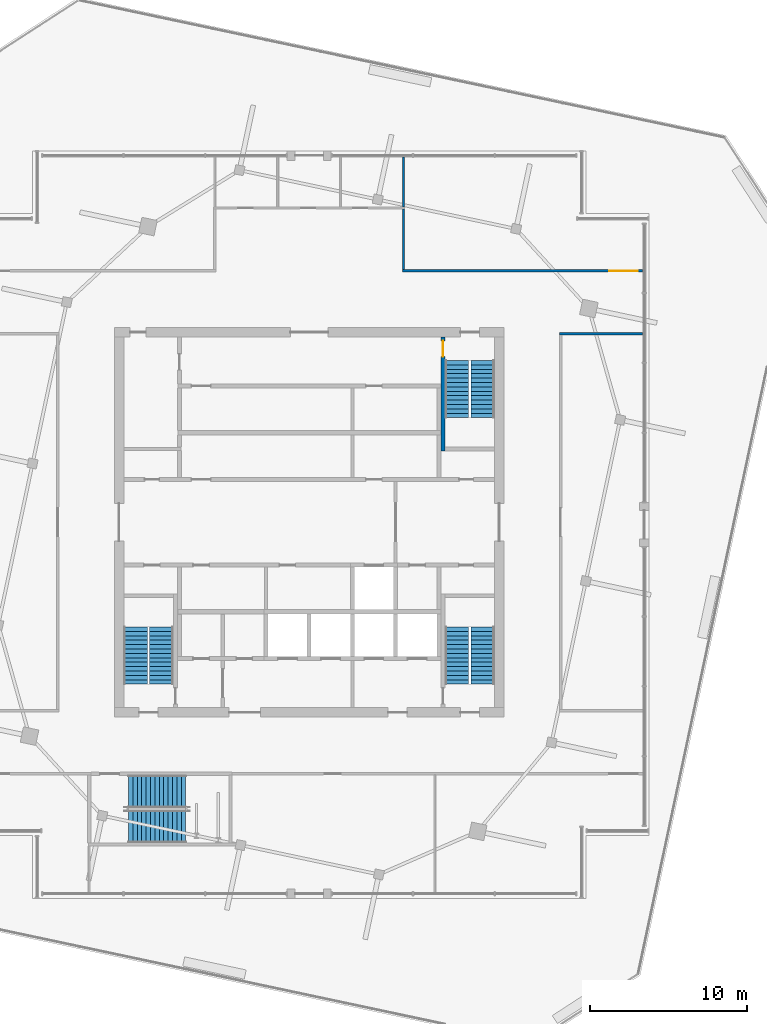
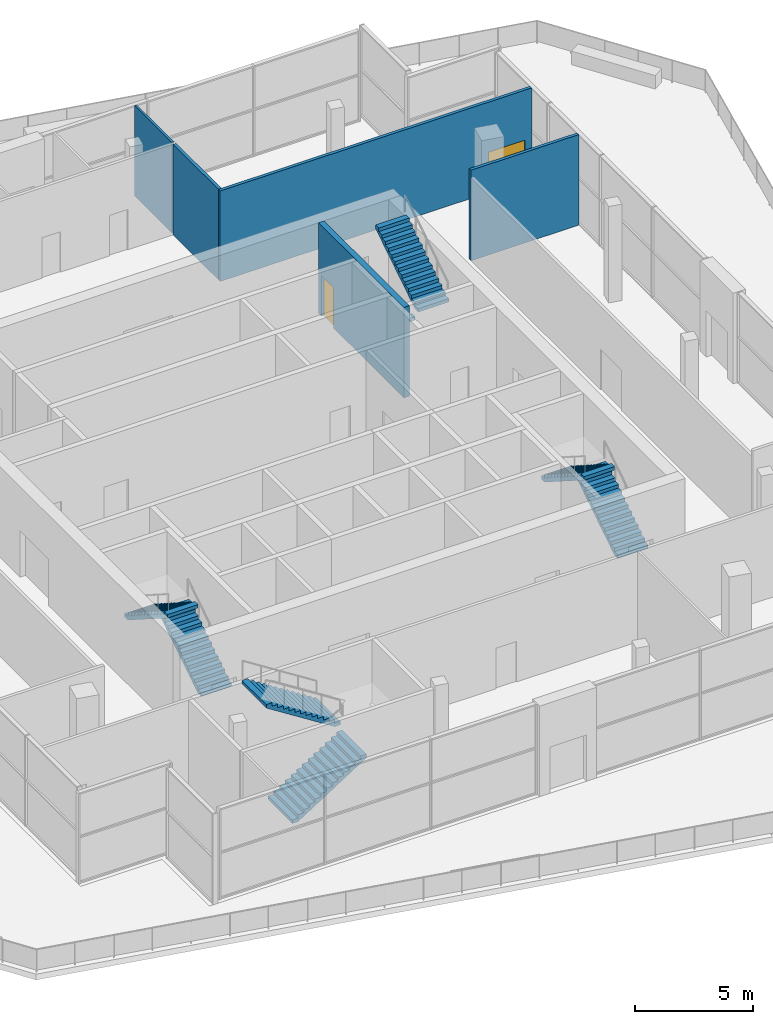
# One storey, part 10 of 14: 8 stair flights, 5 walls, 2 doors, 2 openings, 4 elements without a shape of their own.
"""IFC4 building model written with IfcOpenShell, lengths in metres."""

from ifc_helpers import new_model, si_unit, direction, frame, frame_2d, origin, place, context, subcontext, project, spatial, polyline, rectangle, outline, extrude, material, layer, layer_set, type_object, element, fill, aggregate, save


model = new_model("IFC4")

# Units and contexts
model_context = context("Model", 3, precision=1e-05, world=origin(), true_north=direction((0.0, 1.0)))
body_context = subcontext(model_context, "Body", "Model", "MODEL_VIEW")
ifc_project = project(units=[si_unit("LENGTHUNIT", "METRE"), si_unit("AREAUNIT", "SQUARE_METRE"), si_unit("VOLUMEUNIT", "CUBIC_METRE"), si_unit("PLANEANGLEUNIT", "RADIAN"), si_unit("MASSUNIT", "GRAM", prefix="KILO")], contexts=[model_context])

# Site, building, storey
site_placement = place(None, origin())
site = spatial("IfcSite", under=ifc_project, at=site_placement, CompositionType="ELEMENT")
building_placement = place(site_placement, origin())
building = spatial("IfcBuilding", under=site, at=building_placement, Name="Dilmun Exchange Tower", CompositionType="ELEMENT")
storey_placement = place(building_placement, frame((0.0, 0.0, 368.10009765625)))
storey = spatial("IfcBuildingStorey", under=building, at=storey_placement, Name="Crown L86", CompositionType="ELEMENT", Elevation=368.10009765625)

# Wall
ifc_material_1 = material(Name="Fire partition EI 60 150 gypsum")
ifc_layer_1 = layer(ifc_material_1, 0.14990234375)
ifc_layer_set_1 = layer_set([ifc_layer_1], Name="Fire partition EI 60 150 gypsum")
wall_type_1 = type_object("IfcWallType", Name="Fire partition EI 60 150 gypsum", PredefinedType="PARTITIONING", material=ifc_layer_set_1)
wall_1_placement = place(storey_placement, frame((15.925048828125, 12.0, 0.0), z_axis=(0.0, 0.0, 1.0), x_axis=(1.0, 0.0, 0.0)))
element("IfcWall", 1, at=wall_1_placement, inside=storey, type_object=wall_type_1, Name="Crown L86 partition", PredefinedType="PARTITIONING", context=body_context, shape_type="SweptSolid", body=[
    extrude(rectangle(XDim=5.29833984375, YDim=0.14990234375, at=frame_2d((2.649169921875, 0.0))), origin(), (0.0, 0.0, 1.0), 4.699951171875),
])

# Wall, opening, door
wall_2_placement = place(storey_placement, frame((5.925048828125, 16.0, 0.0), z_axis=(0.0, 0.0, 1.0), x_axis=(1.0, 0.0, 0.0)))
wall_2 = element("IfcWall", 2, at=wall_2_placement, inside=storey, type_object=wall_type_1, Name="Crown L86 partition", PredefinedType="PARTITIONING", context=body_context, shape_type="SweptSolid", body=[
    extrude(rectangle(XDim=15.29833984375, YDim=0.14990234375, at=frame_2d((7.649169921875, 0.0))), origin(), (0.0, 0.0, 1.0), 4.699951171875),
])
opening_1_placement = place(wall_2_placement, frame((13.175048828125, 0.0, 0.0)))
opening_1 = element("IfcOpeningElement", 3, at=opening_1_placement, cuts=wall_2, Name="Opening CrownL86-D006", PredefinedType="OPENING", context=body_context, shape_type="SweptSolid", body=[
    extrude(rectangle(XDim=1.800048828125, YDim=2.10009765625, at=frame_2d((0.89990234375, 1.050048828125))), frame((0.0, 0.0849609375, 0.0), z_axis=(0.0, -1.0, 0.0), x_axis=(1.0, 0.0, 0.0)), (0.0, 0.0, 1.0), 0.169921875),
])
ifc_material_2 = material(Name="Fire door FD60 double 1800 x 2100")
door_type_1 = type_object("IfcDoorType", Name="Fire door FD60 double 1800 x 2100", OperationType="DOUBLE_DOOR_SINGLE_SWING", PredefinedType="DOOR", material=ifc_material_2)
door_1_placement = place(opening_1_placement, origin())
door_1 = element("IfcDoor", 4, at=door_1_placement, inside=storey, type_object=door_type_1, Name="Crown L86 door CrownL86-D006", OperationType="DOUBLE_DOOR_SINGLE_SWING", OverallHeight=2.10009765625, OverallWidth=1.800048828125, PredefinedType="DOOR", context=body_context, shape_type="SweptSolid", body=[
    extrude(rectangle(XDim=1.800048828125, YDim=2.10009765625, at=frame_2d((0.89990234375, 1.050048828125))), frame((0.0, 0.02490234375, 0.0), z_axis=(0.0, -1.0, 0.0), x_axis=(1.0, 0.0, 0.0)), (0.0, 0.0, 1.0), 0.050048828125),
])
fill(opening_1, door_1)

# Walls
wall_3_placement = place(storey_placement, frame((6.0, 16.074951171875, 0.0), z_axis=(0.0, 0.0, 1.0), x_axis=(0.0, 1.0, 0.0)))
element("IfcWall", 5, at=wall_3_placement, inside=storey, type_object=wall_type_1, Name="Crown L86 partition", PredefinedType="PARTITIONING", context=body_context, shape_type="SweptSolid", body=[
    extrude(rectangle(XDim=3.85009765625, YDim=0.14990234375, at=frame_2d((1.925048828125, 0.0))), origin(), (0.0, 0.0, 1.0), 4.699951171875),
])
ifc_material_3 = material(Name="Partition 100 gypsum")
ifc_layer_2 = layer(ifc_material_3, 0.10009765625)
ifc_layer_set_2 = layer_set([ifc_layer_2], Name="Partition 100 gypsum")
wall_type_2 = type_object("IfcWallType", Name="Partition 100 gypsum", PredefinedType="PARTITIONING", material=ifc_layer_set_2)
wall_4_placement = place(storey_placement, frame((6.0, 20.074951171875, 0.0), z_axis=(0.0, 0.0, 1.0), x_axis=(0.0, 1.0, 0.0)))
element("IfcWall", 6, at=wall_4_placement, inside=storey, type_object=wall_type_2, Name="Crown L86 partition", PredefinedType="PARTITIONING", context=body_context, shape_type="SweptSolid", body=[
    extrude(rectangle(XDim=3.165283203125, YDim=0.10009765625, at=frame_2d((1.58251953125, 0.0))), origin(), (0.0, 0.0, 1.0), 4.699951171875),
])

# Wall, opening, door
ifc_material_4 = material(Name="Concrete C40/50", Category="concrete")
ifc_layer_3 = layer(ifc_material_4, 0.27490234375)
ifc_layer_set_3 = layer_set([ifc_layer_3], Name="Concrete C40/50")
wall_type_3 = type_object("IfcWallType", Name="Stair wall 275", PredefinedType="SOLIDWALL", material=ifc_layer_set_3)
wall_5_placement = place(storey_placement, frame((8.512451171875, 4.550048828125, 0.0), z_axis=(0.0, 0.0, 1.0), x_axis=(0.0, 1.0, 0.0)))
wall_5 = element("IfcWall", 7, at=wall_5_placement, inside=storey, type_object=wall_type_3, Name="Crown L86 ST1 wall to lift block", PredefinedType="SOLIDWALL", context=body_context, shape_type="SweptSolid", body=[
    extrude(rectangle(XDim=7.25, YDim=0.27490234375, at=frame_2d((3.625, 0.0))), origin(), (0.0, 0.0, 1.0), 4.699951171875),
])
opening_2_placement = place(wall_5_placement, frame((6.0, 0.0, 0.0)))
opening_2 = element("IfcOpeningElement", 8, at=opening_2_placement, cuts=wall_5, Name="Opening CD4", PredefinedType="OPENING", context=body_context, shape_type="SweptSolid", body=[
    extrude(rectangle(XDim=1.0, YDim=2.10009765625, at=frame_2d((0.5, 1.050048828125))), frame((0.0, 0.1474609375, 0.0), z_axis=(0.0, -1.0, 0.0), x_axis=(1.0, 0.0, 0.0)), (0.0, 0.0, 1.0), 0.294921875),
])
ifc_material_5 = material(Name="Fire-rated steel door set", Category="steel")
door_type_2 = type_object("IfcDoorType", Name="Core room door 1000x2100", OperationType="SINGLE_SWING_LEFT", PredefinedType="DOOR", material=ifc_material_5)
door_2_placement = place(opening_2_placement, origin())
door_2 = element("IfcDoor", 9, at=door_2_placement, inside=storey, type_object=door_type_2, Name="Crown L86 door ST1 from lobby", OperationType="SINGLE_SWING_LEFT", OverallHeight=2.10009765625, OverallWidth=1.0, PredefinedType="DOOR", context=body_context, shape_type="SweptSolid", body=[
    extrude(rectangle(XDim=1.0, YDim=2.10009765625, at=frame_2d((0.5, 1.050048828125))), frame((0.0, 0.02490234375, 0.0), z_axis=(0.0, -1.0, 0.0), x_axis=(1.0, 0.0, 0.0)), (0.0, 0.0, 1.0), 0.050048828125),
])
fill(opening_2, door_2)

# Stair, stair flights
stair_type_1 = type_object("IfcStairType", Name="Exit stair 1500 half-turn", PredefinedType="HALF_TURN_STAIR", material=ifc_material_4)
stair_1_placement = place(storey_placement, origin())
stair_1 = element("IfcStair", 10, at=stair_1_placement, inside=storey, type_object=stair_type_1, Name="Crown L86 Protected exit stair ST1", PredefinedType="HALF_TURN_STAIR")
stair_flight_type_1 = type_object("IfcStairFlightType", Name="Exit stair flight 1500", PredefinedType="STRAIGHT", material=ifc_material_4)
stair_flight_1_placement = place(storey_placement, frame((9.39990234375, 10.300048828125, 0.0), z_axis=(0.0, 0.0, 1.0), x_axis=(0.0, -1.0, 0.0)))
stair_flight_1 = element("IfcStairFlight", 11, at=stair_flight_1_placement, type_object=stair_flight_type_1, Name="ST1 flight 1", NumberOfRisers=14, NumberOfTreads=13, PredefinedType="STRAIGHT", RiserHeight=0.178571429, TreadLength=0.28, context=body_context, shape_type="SweptSolid", body=[
    extrude(outline(polyline([(0.0, 0.0), (0.0, 0.178466796875), (0.280029296875, 0.178466796875), (0.280029296875, 0.357177734375), (0.56005859375, 0.357177734375), (0.56005859375, 0.53564453125), (0.840087890625, 0.53564453125), (0.840087890625, 0.71435546875), (1.1201171875, 0.71435546875), (1.1201171875, 0.892822265625), (1.39990234375, 0.892822265625), (1.39990234375, 1.071533203125), (1.679931640625, 1.071533203125), (1.679931640625, 1.25), (1.9599609375, 1.25), (1.9599609375, 1.428466796875), (2.239990234375, 1.428466796875), (2.239990234375, 1.607177734375), (2.52001953125, 1.607177734375), (2.52001953125, 1.78564453125), (2.800048828125, 1.78564453125), (2.800048828125, 1.96435546875), (3.080078125, 1.96435546875), (3.080078125, 2.142822265625), (3.360107421875, 2.142822265625), (3.360107421875, 2.321533203125), (3.639892578125, 2.321533203125), (3.639892578125, 2.5), (3.639892578125, 2.1435546875), (0.27880859375, 0.0), (0.0, 0.0)])), frame((0.0, 0.75, 0.0), z_axis=(0.0, -1.0, 0.0), x_axis=(1.0, 0.0, 0.0)), (0.0, 0.0, 1.0), 1.5),
])
stair_flight_2_placement = place(storey_placement, frame((11.050048828125, 6.659912109375, 2.5), z_axis=(0.0, 0.0, 1.0), x_axis=(0.0, 1.0, 0.0)))
stair_flight_2 = element("IfcStairFlight", 12, at=stair_flight_2_placement, type_object=stair_flight_type_1, Name="ST1 flight 2", NumberOfRisers=14, NumberOfTreads=13, PredefinedType="STRAIGHT", RiserHeight=0.178571429, TreadLength=0.28, context=body_context, shape_type="SweptSolid", body=[
    extrude(outline(polyline([(0.0, 0.0), (0.0, 0.178466796875), (0.280029296875, 0.178466796875), (0.280029296875, 0.357177734375), (0.56005859375, 0.357177734375), (0.56005859375, 0.53564453125), (0.840087890625, 0.53564453125), (0.840087890625, 0.71435546875), (1.1201171875, 0.71435546875), (1.1201171875, 0.892822265625), (1.39990234375, 0.892822265625), (1.39990234375, 1.071533203125), (1.679931640625, 1.071533203125), (1.679931640625, 1.25), (1.9599609375, 1.25), (1.9599609375, 1.428466796875), (2.239990234375, 1.428466796875), (2.239990234375, 1.607177734375), (2.52001953125, 1.607177734375), (2.52001953125, 1.78564453125), (2.800048828125, 1.78564453125), (2.800048828125, 1.96435546875), (3.080078125, 1.96435546875), (3.080078125, 2.142822265625), (3.360107421875, 2.142822265625), (3.360107421875, 2.321533203125), (3.639892578125, 2.321533203125), (3.639892578125, 2.5), (3.639892578125, 2.1435546875), (0.27880859375, 0.0), (0.0, 0.0)])), frame((0.0, 0.75, 0.0), z_axis=(0.0, -1.0, 0.0), x_axis=(1.0, 0.0, 0.0)), (0.0, 0.0, 1.0), 1.5),
])
aggregate(stair_1, [stair_flight_1, stair_flight_2])

stair_2_placement = place(storey_placement, origin())
stair_2 = element("IfcStair", 13, at=stair_2_placement, inside=storey, type_object=stair_type_1, Name="Crown L86 Protected exit stair ST2", PredefinedType="HALF_TURN_STAIR")
stair_flight_3_placement = place(storey_placement, frame((-9.39990234375, -10.300048828125, 0.0), z_axis=(0.0, 0.0, 1.0), x_axis=(0.0, 1.0, 0.0)))
stair_flight_3 = element("IfcStairFlight", 14, at=stair_flight_3_placement, type_object=stair_flight_type_1, Name="ST2 flight 1", NumberOfRisers=14, NumberOfTreads=13, PredefinedType="STRAIGHT", RiserHeight=0.178571429, TreadLength=0.28, context=body_context, shape_type="SweptSolid", body=[
    extrude(outline(polyline([(0.0, 0.0), (0.0, 0.178466796875), (0.280029296875, 0.178466796875), (0.280029296875, 0.357177734375), (0.56005859375, 0.357177734375), (0.56005859375, 0.53564453125), (0.840087890625, 0.53564453125), (0.840087890625, 0.71435546875), (1.1201171875, 0.71435546875), (1.1201171875, 0.892822265625), (1.39990234375, 0.892822265625), (1.39990234375, 1.071533203125), (1.679931640625, 1.071533203125), (1.679931640625, 1.25), (1.9599609375, 1.25), (1.9599609375, 1.428466796875), (2.239990234375, 1.428466796875), (2.239990234375, 1.607177734375), (2.52001953125, 1.607177734375), (2.52001953125, 1.78564453125), (2.800048828125, 1.78564453125), (2.800048828125, 1.96435546875), (3.080078125, 1.96435546875), (3.080078125, 2.142822265625), (3.360107421875, 2.142822265625), (3.360107421875, 2.321533203125), (3.639892578125, 2.321533203125), (3.639892578125, 2.5), (3.639892578125, 2.1435546875), (0.27880859375, 0.0), (0.0, 0.0)])), frame((0.0, 0.75, 0.0), z_axis=(0.0, -1.0, 0.0), x_axis=(1.0, 0.0, 0.0)), (0.0, 0.0, 1.0), 1.5),
])
stair_flight_4_placement = place(storey_placement, frame((-11.050048828125, -6.659912109375, 2.5), z_axis=(0.0, 0.0, 1.0), x_axis=(0.0, -1.0, 0.0)))
stair_flight_4 = element("IfcStairFlight", 15, at=stair_flight_4_placement, type_object=stair_flight_type_1, Name="ST2 flight 2", NumberOfRisers=14, NumberOfTreads=13, PredefinedType="STRAIGHT", RiserHeight=0.178571429, TreadLength=0.28, context=body_context, shape_type="SweptSolid", body=[
    extrude(outline(polyline([(0.0, 0.0), (0.0, 0.178466796875), (0.280029296875, 0.178466796875), (0.280029296875, 0.357177734375), (0.56005859375, 0.357177734375), (0.56005859375, 0.53564453125), (0.840087890625, 0.53564453125), (0.840087890625, 0.71435546875), (1.1201171875, 0.71435546875), (1.1201171875, 0.892822265625), (1.39990234375, 0.892822265625), (1.39990234375, 1.071533203125), (1.679931640625, 1.071533203125), (1.679931640625, 1.25), (1.9599609375, 1.25), (1.9599609375, 1.428466796875), (2.239990234375, 1.428466796875), (2.239990234375, 1.607177734375), (2.52001953125, 1.607177734375), (2.52001953125, 1.78564453125), (2.800048828125, 1.78564453125), (2.800048828125, 1.96435546875), (3.080078125, 1.96435546875), (3.080078125, 2.142822265625), (3.360107421875, 2.142822265625), (3.360107421875, 2.321533203125), (3.639892578125, 2.321533203125), (3.639892578125, 2.5), (3.639892578125, 2.1435546875), (0.27880859375, 0.0), (0.0, 0.0)])), frame((0.0, 0.75, 0.0), z_axis=(0.0, -1.0, 0.0), x_axis=(1.0, 0.0, 0.0)), (0.0, 0.0, 1.0), 1.5),
])
aggregate(stair_2, [stair_flight_3, stair_flight_4])

stair_3_placement = place(storey_placement, origin())
stair_3 = element("IfcStair", 16, at=stair_3_placement, inside=storey, type_object=stair_type_1, Name="Crown L86 Protected exit stair ST3", PredefinedType="HALF_TURN_STAIR")
stair_flight_5_placement = place(storey_placement, frame((11.050048828125, -10.300048828125, 0.0), z_axis=(0.0, 0.0, 1.0), x_axis=(0.0, 1.0, 0.0)))
stair_flight_5 = element("IfcStairFlight", 17, at=stair_flight_5_placement, type_object=stair_flight_type_1, Name="ST3 flight 1", NumberOfRisers=14, NumberOfTreads=13, PredefinedType="STRAIGHT", RiserHeight=0.178571429, TreadLength=0.28, context=body_context, shape_type="SweptSolid", body=[
    extrude(outline(polyline([(0.0, 0.0), (0.0, 0.178466796875), (0.280029296875, 0.178466796875), (0.280029296875, 0.357177734375), (0.56005859375, 0.357177734375), (0.56005859375, 0.53564453125), (0.840087890625, 0.53564453125), (0.840087890625, 0.71435546875), (1.1201171875, 0.71435546875), (1.1201171875, 0.892822265625), (1.39990234375, 0.892822265625), (1.39990234375, 1.071533203125), (1.679931640625, 1.071533203125), (1.679931640625, 1.25), (1.9599609375, 1.25), (1.9599609375, 1.428466796875), (2.239990234375, 1.428466796875), (2.239990234375, 1.607177734375), (2.52001953125, 1.607177734375), (2.52001953125, 1.78564453125), (2.800048828125, 1.78564453125), (2.800048828125, 1.96435546875), (3.080078125, 1.96435546875), (3.080078125, 2.142822265625), (3.360107421875, 2.142822265625), (3.360107421875, 2.321533203125), (3.639892578125, 2.321533203125), (3.639892578125, 2.5), (3.639892578125, 2.1435546875), (0.27880859375, 0.0), (0.0, 0.0)])), frame((0.0, 0.75, 0.0), z_axis=(0.0, -1.0, 0.0), x_axis=(1.0, 0.0, 0.0)), (0.0, 0.0, 1.0), 1.5),
])
stair_flight_6_placement = place(storey_placement, frame((9.39990234375, -6.659912109375, 2.5), z_axis=(0.0, 0.0, 1.0), x_axis=(0.0, -1.0, 0.0)))
stair_flight_6 = element("IfcStairFlight", 18, at=stair_flight_6_placement, type_object=stair_flight_type_1, Name="ST3 flight 2", NumberOfRisers=14, NumberOfTreads=13, PredefinedType="STRAIGHT", RiserHeight=0.178571429, TreadLength=0.28, context=body_context, shape_type="SweptSolid", body=[
    extrude(outline(polyline([(0.0, 0.0), (0.0, 0.178466796875), (0.280029296875, 0.178466796875), (0.280029296875, 0.357177734375), (0.56005859375, 0.357177734375), (0.56005859375, 0.53564453125), (0.840087890625, 0.53564453125), (0.840087890625, 0.71435546875), (1.1201171875, 0.71435546875), (1.1201171875, 0.892822265625), (1.39990234375, 0.892822265625), (1.39990234375, 1.071533203125), (1.679931640625, 1.071533203125), (1.679931640625, 1.25), (1.9599609375, 1.25), (1.9599609375, 1.428466796875), (2.239990234375, 1.428466796875), (2.239990234375, 1.607177734375), (2.52001953125, 1.607177734375), (2.52001953125, 1.78564453125), (2.800048828125, 1.78564453125), (2.800048828125, 1.96435546875), (3.080078125, 1.96435546875), (3.080078125, 2.142822265625), (3.360107421875, 2.142822265625), (3.360107421875, 2.321533203125), (3.639892578125, 2.321533203125), (3.639892578125, 2.5), (3.639892578125, 2.1435546875), (0.27880859375, 0.0), (0.0, 0.0)])), frame((0.0, 0.75, 0.0), z_axis=(0.0, -1.0, 0.0), x_axis=(1.0, 0.0, 0.0)), (0.0, 0.0, 1.0), 1.5),
])
aggregate(stair_3, [stair_flight_5, stair_flight_6])

stair_type_2 = type_object("IfcStairType", Name="Podium exit stair 1500", PredefinedType="HALF_TURN_STAIR", material=ifc_material_4)
stair_4_placement = place(storey_placement, origin())
stair_4 = element("IfcStair", 19, at=stair_4_placement, inside=storey, type_object=stair_type_2, Name="Crown L86 Podium exit stair CS1", PredefinedType="HALF_TURN_STAIR")
stair_flight_type_2 = type_object("IfcStairFlightType", Name="Podium stair flight 1500", PredefinedType="STRAIGHT", material=ifc_material_4)
stair_flight_7_placement = place(storey_placement, frame((-11.5, -19.363037109375, 0.0), z_axis=(0.0, 0.0, 1.0), x_axis=(1.0, 0.0, 0.0)))
stair_flight_7 = element("IfcStairFlight", 20, at=stair_flight_7_placement, type_object=stair_flight_type_2, Name="CS1 flight 1", NumberOfRisers=14, NumberOfTreads=13, PredefinedType="STRAIGHT", RiserHeight=0.178571429, TreadLength=0.28, context=body_context, shape_type="SweptSolid", body=[
    extrude(outline(polyline([(0.0, 0.0), (0.0, 0.178466796875), (0.280029296875, 0.178466796875), (0.280029296875, 0.357177734375), (0.56005859375, 0.357177734375), (0.56005859375, 0.53564453125), (0.840087890625, 0.53564453125), (0.840087890625, 0.71435546875), (1.1201171875, 0.71435546875), (1.1201171875, 0.892822265625), (1.39990234375, 0.892822265625), (1.39990234375, 1.071533203125), (1.679931640625, 1.071533203125), (1.679931640625, 1.25), (1.9599609375, 1.25), (1.9599609375, 1.428466796875), (2.239990234375, 1.428466796875), (2.239990234375, 1.607177734375), (2.52001953125, 1.607177734375), (2.52001953125, 1.78564453125), (2.800048828125, 1.78564453125), (2.800048828125, 1.96435546875), (3.080078125, 1.96435546875), (3.080078125, 2.142822265625), (3.360107421875, 2.142822265625), (3.360107421875, 2.321533203125), (3.639892578125, 2.321533203125), (3.639892578125, 2.5), (3.639892578125, 2.1435546875), (0.27880859375, 0.0), (0.0, 0.0)])), frame((0.0, 1.037109375, 0.0), z_axis=(0.0, -1.0, 0.0), x_axis=(1.0, 0.0, 0.0)), (0.0, 0.0, 1.0), 2.073974609375),
])
stair_flight_8_placement = place(storey_placement, frame((-7.860107421875, -17.138916015625, 2.5), z_axis=(0.0, 0.0, 1.0), x_axis=(-1.0, 0.0, 0.0)))
stair_flight_8 = element("IfcStairFlight", 21, at=stair_flight_8_placement, type_object=stair_flight_type_2, Name="CS1 flight 2", NumberOfRisers=14, NumberOfTreads=13, PredefinedType="STRAIGHT", RiserHeight=0.178571429, TreadLength=0.28, context=body_context, shape_type="SweptSolid", body=[
    extrude(outline(polyline([(0.0, 0.0), (0.0, 0.178466796875), (0.280029296875, 0.178466796875), (0.280029296875, 0.357177734375), (0.56005859375, 0.357177734375), (0.56005859375, 0.53564453125), (0.840087890625, 0.53564453125), (0.840087890625, 0.71435546875), (1.1201171875, 0.71435546875), (1.1201171875, 0.892822265625), (1.39990234375, 0.892822265625), (1.39990234375, 1.071533203125), (1.679931640625, 1.071533203125), (1.679931640625, 1.25), (1.9599609375, 1.25), (1.9599609375, 1.428466796875), (2.239990234375, 1.428466796875), (2.239990234375, 1.607177734375), (2.52001953125, 1.607177734375), (2.52001953125, 1.78564453125), (2.800048828125, 1.78564453125), (2.800048828125, 1.96435546875), (3.080078125, 1.96435546875), (3.080078125, 2.142822265625), (3.360107421875, 2.142822265625), (3.360107421875, 2.321533203125), (3.639892578125, 2.321533203125), (3.639892578125, 2.5), (3.639892578125, 2.1435546875), (0.27880859375, 0.0), (0.0, 0.0)])), frame((0.0, 1.037109375, 0.0), z_axis=(0.0, -1.0, 0.0), x_axis=(1.0, 0.0, 0.0)), (0.0, 0.0, 1.0), 2.073974609375),
])
aggregate(stair_4, [stair_flight_7, stair_flight_8])

save(model, "model.ifc")
